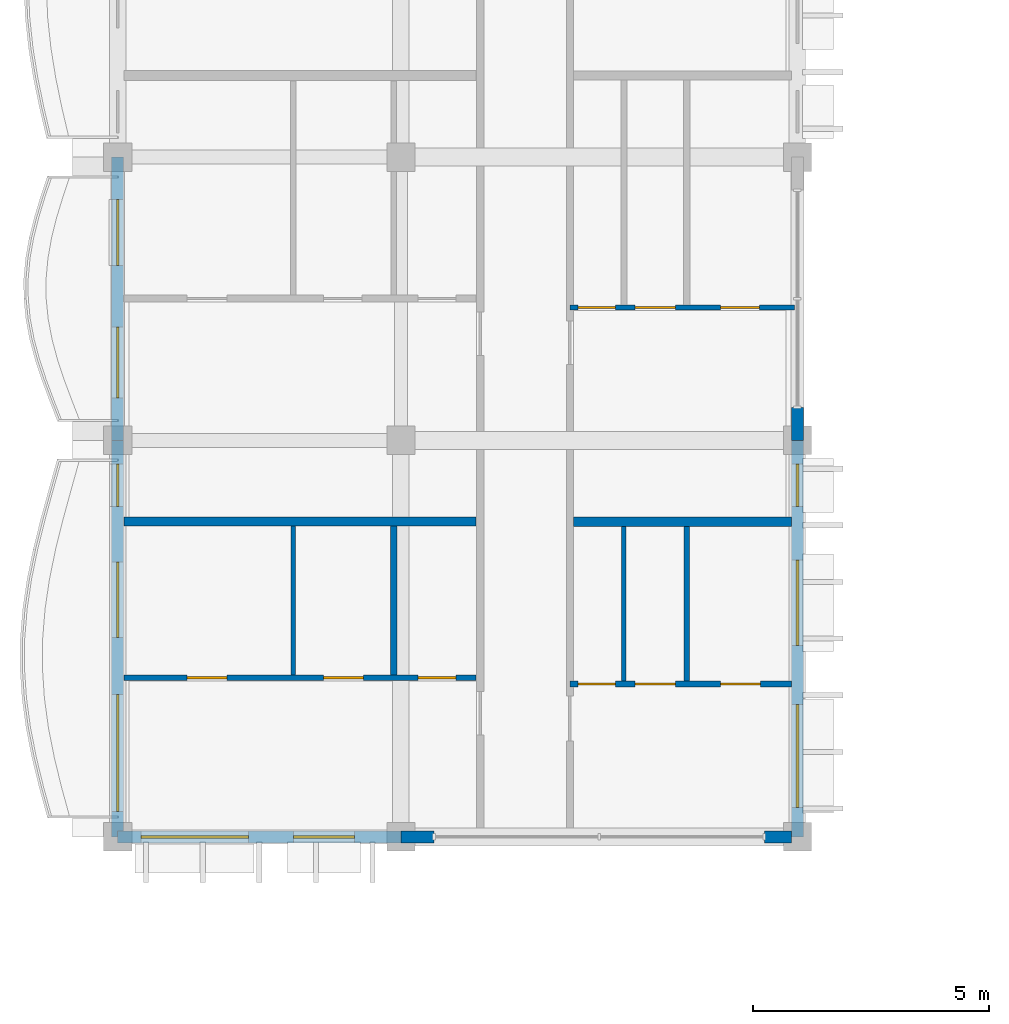
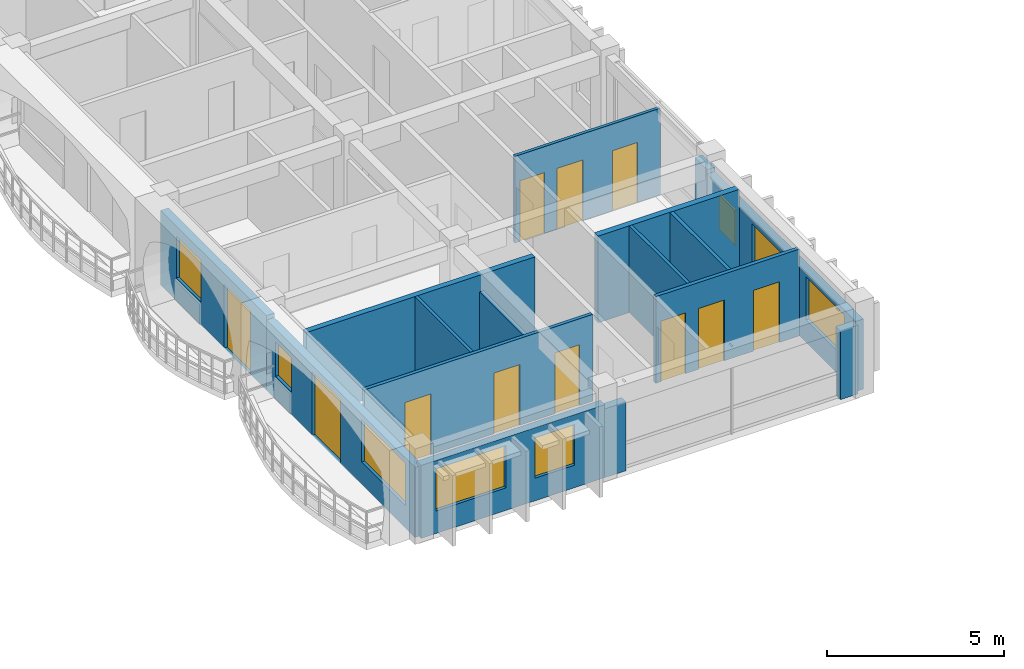
# One storey, part 10 of 31: 16 walls, 11 doors, 8 windows, 19 openings.
"""IFC4 building model written with IfcOpenShell, lengths in metres."""

import ifcopenshell
import ifcopenshell.guid

model = None  # the IFC model being written
_history = None  # IfcOwnerHistory: only IFC2X3 demands one
_inside = {}  # id of a spatial element -> (the spatial element, [elements in it])
_under = {}  # id of a project, library or spatial element -> (it, [spatial elements below it])
_declared = {}  # id of a project -> (the project, [libraries it declares])
_typed = {}  # id of a type object -> (the type object, [elements of that type])
_made_of = {}  # id of a material, layer set ... -> (it, [elements and type objects made of it])


def new_model(schema):
    """Start an empty IFC model of exactly this schema.

    Asked for "IFC4X3", IfcOpenShell would pick the latest addendum, in which some entities
    have other attributes; the version numbers below select the first issue.
    IFC2X3 requires an IfcOwnerHistory on every rooted entity: one is made here for all.
    """
    global model, _history
    if schema == "IFC4X3":
        model = ifcopenshell.file(schema_version=(4, 3, 0, 0))
    else:
        model = ifcopenshell.file(schema=schema)
    _inside.clear()
    _under.clear()
    _declared.clear()
    _typed.clear()
    _made_of.clear()
    _history = None
    if model.schema == "IFC2X3":
        org = make("IfcOrganization", Name="unknown")
        user = make(
            "IfcPersonAndOrganization",
            ThePerson=make("IfcPerson", FamilyName="unknown"),
            TheOrganization=org,
        )
        app = make(
            "IfcApplication",
            ApplicationDeveloper=org,
            Version="unknown",
            ApplicationFullName="unknown",
            ApplicationIdentifier="unknown",
        )
        _history = make(
            "IfcOwnerHistory",
            OwningUser=user,
            OwningApplication=app,
            ChangeAction="ADDED",
            CreationDate=0,
        )
    return model


def make(cls, **values):
    """One entity of the class cls with the attributes given. An attribute that is None is left unset."""
    return model.create_entity(
        cls, **{name: value for name, value in values.items() if value is not None}
    )


def rooted(cls, **values):
    """An entity with a GlobalId (a new one), such as an element, a storey or a relation."""
    return make(cls, GlobalId=ifcopenshell.guid.new(), OwnerHistory=_history, **values)


def si_unit(unit_type, name, prefix=None):
    """IfcSIUnit, for example si_unit("LENGTHUNIT", "METRE", prefix="MILLI")."""
    return make("IfcSIUnit", UnitType=unit_type, Prefix=prefix, Name=name)


def assignment(units):
    """IfcUnitAssignment: the units of a project."""
    return None if units is None else make("IfcUnitAssignment", Units=units)


def point(xyz):
    """IfcCartesianPoint."""
    return None if xyz is None else make("IfcCartesianPoint", Coordinates=xyz)


def direction(xyz):
    """IfcDirection."""
    return None if xyz is None else make("IfcDirection", DirectionRatios=xyz)


def frame(location, z_axis=None, x_axis=None):
    """IfcAxis2Placement3D, a coordinate frame: its origin and axes. An axis left out is left unset."""
    return make(
        "IfcAxis2Placement3D",
        Location=point(location),
        Axis=direction(z_axis),
        RefDirection=direction(x_axis),
    )


def frame_2d(location, x_axis=None):
    """IfcAxis2Placement2D, a coordinate frame in the plane: its origin and x axis."""
    return make(
        "IfcAxis2Placement2D", Location=point(location), RefDirection=direction(x_axis)
    )


def origin():
    """The frame at (0, 0, 0) with its axes left unset."""
    return frame((0.0, 0.0, 0.0))


def place(relative_to, where):
    """IfcLocalPlacement: puts the frame where relative to a parent placement (None: the world)."""
    return make(
        "IfcLocalPlacement", PlacementRelTo=relative_to, RelativePlacement=where
    )


def context(
    kind, dimensions, precision=None, world=None, true_north=None, identifier=None
):
    """IfcGeometricRepresentationContext, for example the 3D "Model" context."""
    return make(
        "IfcGeometricRepresentationContext",
        ContextIdentifier=identifier,
        ContextType=kind,
        CoordinateSpaceDimension=dimensions,
        Precision=precision,
        WorldCoordinateSystem=world,
        TrueNorth=true_north,
    )


def subcontext(parent, identifier, kind, view, scale=None):
    """IfcGeometricRepresentationSubContext, for example "Body" below "Model"."""
    return make(
        "IfcGeometricRepresentationSubContext",
        ContextIdentifier=identifier,
        ContextType=kind,
        ParentContext=parent,
        TargetScale=scale,
        TargetView=view,
    )


def project(units=None, contexts=None):
    """IfcProject with its units and contexts."""
    return rooted(
        "IfcProject",
        Name="project",
        RepresentationContexts=contexts,
        UnitsInContext=assignment(units),
    )


def spatial(cls, under=None, at=None, **own):
    """A site, building, storey or space (cls), placed at a placement, below another one or the project."""
    s = rooted(cls, ObjectPlacement=at, **own)
    if under is not None:
        _under.setdefault(under.id(), (under, []))[1].append(s)
    return s


def profile(cls, at=None, kind="AREA", **sizes):
    """A parametric profile (cls). Its sizes go by their IFC names, for example OverallWidth=200.0."""
    return make(cls, ProfileType=kind, Position=at, **sizes)


def rectangle(**sizes):
    """IfcRectangleProfileDef."""
    return profile("IfcRectangleProfileDef", **sizes)


def extrude(swept, where, along, depth):
    """IfcExtrudedAreaSolid: the profile swept, set in the frame where, extruded along a direction by depth."""
    return make(
        "IfcExtrudedAreaSolid",
        SweptArea=swept,
        Position=where,
        ExtrudedDirection=direction(along),
        Depth=depth,
    )


def shape(context_of_items, identifier, shape_type, items):
    """IfcShapeRepresentation: the items that make up one representation, for example the "Body"."""
    return make(
        "IfcShapeRepresentation",
        ContextOfItems=context_of_items,
        RepresentationIdentifier=identifier,
        RepresentationType=shape_type,
        Items=items,
    )


def material(Name=None, Category=None):
    """IfcMaterial."""
    return make("IfcMaterial", Name=Name, Category=Category)


def layer(
    of_material, thickness, ventilated=None, Name=None, Category=None, Priority=None
):
    """IfcMaterialLayer: one layer of a wall or slab, of a material (None: an air gap)."""
    return make(
        "IfcMaterialLayer",
        Material=of_material,
        LayerThickness=thickness,
        IsVentilated=ventilated,
        Name=Name,
        Category=Category,
        Priority=Priority,
    )


def layer_set(layers, Name=None):
    """IfcMaterialLayerSet."""
    return make("IfcMaterialLayerSet", MaterialLayers=layers, LayerSetName=Name)


def made_of(thing, what):
    """Note that an element or type object is made of a material, layer set ...; save() writes the relation."""
    if what is not None:
        _made_of.setdefault(what.id(), (what, []))[1].append(thing)
    return thing


def type_object(cls, material=None, **own):
    """A type object (cls), such as IfcWallType, which elements share."""
    return made_of(rooted(cls, **own), material)


def element(
    cls,
    number,
    at=None,
    inside=None,
    cuts=None,
    type_object=None,
    material=None,
    context=None,
    identifier="Body",
    shape_type=None,
    held_by="IfcProductDefinitionShape",
    body=None,
    shapes=None,
    **own,
):
    """One element of the class cls, such as IfcWall. Its Tag is "e" and its number.

    at: its placement. inside: the storey or other place that contains it. cuts: it is an
    opening in that element (IfcRelVoidsElement). A single representation is given by context,
    identifier, shape_type and body (its items); several are given by shapes. held_by: the class
    of the entity that holds the representations. save() writes the other relations.
    """
    e = rooted(cls, Tag="e%d" % number, ObjectPlacement=at, **own)
    if body is not None:
        shapes = [shape(context, identifier, shape_type, body)]
    if shapes is not None:
        e.Representation = make(held_by, Representations=shapes)
    if inside is not None:
        _inside.setdefault(inside.id(), (inside, []))[1].append(e)
    if cuts is not None:
        rooted(
            "IfcRelVoidsElement", RelatingBuildingElement=cuts, RelatedOpeningElement=e
        )
    if type_object is not None:
        _typed.setdefault(type_object.id(), (type_object, []))[1].append(e)
    return made_of(e, material)


def fill(opening, filler):
    """IfcRelFillsElement: the door or window that sits in an opening."""
    return rooted(
        "IfcRelFillsElement",
        RelatingOpeningElement=opening,
        RelatedBuildingElement=filler,
    )


def aggregate(whole, parts):
    """IfcRelAggregates: a whole, such as a stair, and the parts it consists of."""
    return rooted("IfcRelAggregates", RelatingObject=whole, RelatedObjects=parts)


def save(model, path):
    """Write the relations noted so far, then the file.

    IfcRelAggregates (storeys below a building ...), IfcRelContainedInSpatialStructure (elements
    in a storey), IfcRelDefinesByType, IfcRelAssociatesMaterial and IfcRelDeclares: one each for
    every whole, place, type object, material and project.
    """
    for whole, parts in _under.values():
        aggregate(whole, parts)
    for where, things in _inside.values():
        rooted(
            "IfcRelContainedInSpatialStructure",
            RelatedElements=things,
            RelatingStructure=where,
        )
    for kind, things in _typed.values():
        rooted("IfcRelDefinesByType", RelatedObjects=things, RelatingType=kind)
    for what, things in _made_of.values():
        rooted("IfcRelAssociatesMaterial", RelatedObjects=things, RelatingMaterial=what)
    for by, libraries in _declared.values():
        rooted("IfcRelDeclares", RelatingContext=by, RelatedDefinitions=libraries)
    model.write(path)


model = new_model("IFC4")

# Units and contexts
model_context = context("Model", 3, precision=1e-05, world=origin(), true_north=direction((0.0, 1.0)))
body_context = subcontext(model_context, "Body", "Model", "MODEL_VIEW")
ifc_project = project(units=[si_unit("LENGTHUNIT", "METRE"), si_unit("AREAUNIT", "SQUARE_METRE"), si_unit("VOLUMEUNIT", "CUBIC_METRE"), si_unit("PLANEANGLEUNIT", "RADIAN"), si_unit("MASSUNIT", "GRAM", prefix="KILO"), si_unit("THERMODYNAMICTEMPERATUREUNIT", "KELVIN")], contexts=[model_context])

# Site, building, storey
site_placement = place(None, origin())
site = spatial("IfcSite", under=ifc_project, at=site_placement, CompositionType="ELEMENT")
building_placement = place(site_placement, origin())
building = spatial("IfcBuilding", under=site, at=building_placement, Name="Thalorik Housing Commons", CompositionType="ELEMENT")
storey_placement = place(building_placement, frame((0.0, 0.0, 37.800048828125)))
storey = spatial("IfcBuildingStorey", under=building, at=storey_placement, Name="L11", CompositionType="ELEMENT", Elevation=37.800048828125)

# Wall, openings, door, window
ifc_material_1 = material(Name="White precast concrete C40/50", Category="concrete")
ifc_layer_1 = layer(ifc_material_1, 0.2548828125, Name="White precast concrete C40/50", Category="concrete")
ifc_layer_set_1 = layer_set([ifc_layer_1], Name="White precast concrete C40/50")
wall_type_1 = type_object("IfcWallType", Name="ARC-WAL-EXT-255", PredefinedType="STANDARD", material=ifc_layer_set_1)
wall_1_placement = place(storey_placement, frame((8.39990234375, 100.800048828125, 0.0), z_axis=(0.0, 0.0, 1.0), x_axis=(0.0, -1.0, 0.0)))
wall_1 = element("IfcWall", 1, at=wall_1_placement, inside=storey, type_object=wall_type_1, Name="L11 Exterior Wall WAL-EXT-L11-A-0290", PredefinedType="STANDARD", context=body_context, shape_type="SweptSolid", body=[
    extrude(rectangle(XDim=6.0, YDim=0.2548828125, at=frame_2d((3.0, 0.0))), origin(), (0.0, 0.0, 1.0), 2.574951171875),
])
opening_1_placement = place(wall_1_placement, frame((3.6025390625, 0.0, 0.0)))
opening_1 = element("IfcOpeningElement", 2, at=opening_1_placement, cuts=wall_1, Name="Opening ED-0094", PredefinedType="OPENING", context=body_context, shape_type="SweptSolid", body=[
    extrude(rectangle(XDim=1.5, YDim=2.199951171875, at=frame_2d((0.75, 1.10009765625))), frame((0.0, 0.137451171875, 0.0), z_axis=(0.0, -1.0, 0.0), x_axis=(1.0, 0.0, 0.0)), (0.0, 0.0, 1.0), 0.27490234375),
])
opening_2_placement = place(wall_1_placement, frame((0.892578125, 0.0, 0.780029296875)))
opening_2 = element("IfcOpeningElement", 3, at=opening_2_placement, cuts=wall_1, Name="Opening W-08", PredefinedType="OPENING", context=body_context, shape_type="SweptSolid", body=[
    extrude(rectangle(XDim=1.39990234375, YDim=1.449951171875, at=frame_2d((0.699951171875, 0.72509765625))), frame((0.0, 0.137451171875, 0.0), z_axis=(0.0, -1.0, 0.0), x_axis=(1.0, 0.0, 0.0)), (0.0, 0.0, 1.0), 0.27490234375),
])
ifc_material_2 = material(Name="Anodised aluminium and laminated safety glass", Category="aluminium")
door_type_1 = type_object("IfcDoorType", Name="ARC-DR-BAL-1500", OperationType="NOTDEFINED", PredefinedType="DOOR", material=ifc_material_2)
door_1_placement = place(opening_1_placement, frame((1.5, 0.0, 0.0), z_axis=(0.0, 0.0, 1.0), x_axis=(-1.0, 0.0, 0.0)))
door_1 = element("IfcDoor", 4, at=door_1_placement, inside=storey, type_object=door_type_1, Name="L11 Block A Balcony Glazed Door", OperationType="SLIDING_TO_RIGHT", OverallHeight=2.199951171875, OverallWidth=1.5, PredefinedType="DOOR", context=body_context, shape_type="SweptSolid", body=[
    extrude(rectangle(XDim=1.5, YDim=2.199951171875, at=frame_2d((0.75, 1.10009765625))), frame((0.0, 0.02490234375, 0.0), z_axis=(0.0, -1.0, 0.0), x_axis=(1.0, 0.0, 0.0)), (0.0, 0.0, 1.0), 0.050048828125),
])
fill(opening_1, door_1)
ifc_material_3 = material(Name="Anodised aluminium and solar-control low-E glass", Category="aluminium")
window_type_1 = type_object("IfcWindowType", Name="ARC-WIN-08", PartitioningType="SINGLE_PANEL", PredefinedType="WINDOW", material=ifc_material_3)
window_1_placement = place(opening_2_placement, origin())
window_1 = element("IfcWindow", 5, at=window_1_placement, inside=storey, type_object=window_type_1, Name="L11 Facade Window 521", OverallHeight=1.449951171875, OverallWidth=1.39990234375, PartitioningType="SINGLE_PANEL", PredefinedType="WINDOW", context=body_context, shape_type="SweptSolid", body=[
    extrude(rectangle(XDim=1.39990234375, YDim=1.449951171875, at=frame_2d((0.699951171875, 0.72509765625))), frame((0.0, 0.030029296875, 0.0), z_axis=(0.0, -1.0, 0.0), x_axis=(1.0, 0.0, 0.0)), (0.0, 0.0, 1.0), 0.06005859375),
])
fill(opening_2, window_1)

# Wall, openings, door, windows
wall_2_placement = place(storey_placement, frame((8.39990234375, 94.800048828125, 0.0), z_axis=(0.0, 0.0, 1.0), x_axis=(0.0, -1.0, 0.0)))
wall_2 = element("IfcWall", 6, at=wall_2_placement, inside=storey, type_object=wall_type_1, Name="L11 Exterior Wall WAL-EXT-L11-A-0291", PredefinedType="STANDARD", context=body_context, shape_type="SweptSolid", body=[
    extrude(rectangle(XDim=8.400146484375, YDim=0.2548828125, at=frame_2d((4.2001953125, 0.0))), origin(), (0.0, 0.0, 1.0), 2.425048828125),
])
opening_3_placement = place(wall_2_placement, frame((2.574951171875, 0.0, 0.0)))
opening_3 = element("IfcOpeningElement", 7, at=opening_3_placement, cuts=wall_2, Name="Opening ED-0095", PredefinedType="OPENING", context=body_context, shape_type="SweptSolid", body=[
    extrude(rectangle(XDim=1.60009765625, YDim=2.199951171875, at=frame_2d((0.800048828125, 1.10009765625))), frame((0.0, 0.137451171875, 0.0), z_axis=(0.0, -1.0, 0.0), x_axis=(1.0, 0.0, 0.0)), (0.0, 0.0, 1.0), 0.27490234375),
])
opening_4_placement = place(wall_2_placement, frame((0.5048828125, 0.0, 0.780029296875)))
opening_4 = element("IfcOpeningElement", 8, at=opening_4_placement, cuts=wall_2, Name="Opening W-01", PredefinedType="OPENING", context=body_context, shape_type="SweptSolid", body=[
    extrude(rectangle(XDim=0.89990234375, YDim=1.199951171875, at=frame_2d((0.449951171875, 0.60009765625))), frame((0.0, 0.137451171875, 0.0), z_axis=(0.0, -1.0, 0.0), x_axis=(1.0, 0.0, 0.0)), (0.0, 0.0, 1.0), 0.27490234375),
])
opening_5_placement = place(wall_2_placement, frame((5.3798828125, 0.0, 0.780029296875)))
opening_5 = element("IfcOpeningElement", 9, at=opening_5_placement, cuts=wall_2, Name="Opening W-71", PredefinedType="OPENING", context=body_context, shape_type="SweptSolid", body=[
    extrude(rectangle(XDim=2.47998046875, YDim=1.4599609375, at=frame_2d((1.239990234375, 0.72998046875))), frame((0.0, 0.137451171875, 0.0), z_axis=(0.0, -1.0, 0.0), x_axis=(1.0, 0.0, 0.0)), (0.0, 0.0, 1.0), 0.27490234375),
])
door_type_2 = type_object("IfcDoorType", Name="ARC-DR-BAL-1600", OperationType="NOTDEFINED", PredefinedType="DOOR", material=ifc_material_2)
door_2_placement = place(opening_3_placement, frame((1.60009765625, 0.0, 0.0), z_axis=(0.0, 0.0, 1.0), x_axis=(-1.0, 0.0, 0.0)))
door_2 = element("IfcDoor", 10, at=door_2_placement, inside=storey, type_object=door_type_2, Name="L11 Block A Balcony Glazed Door", OperationType="SLIDING_TO_LEFT", OverallHeight=2.199951171875, OverallWidth=1.60009765625, PredefinedType="DOOR", context=body_context, shape_type="SweptSolid", body=[
    extrude(rectangle(XDim=1.60009765625, YDim=2.199951171875, at=frame_2d((0.800048828125, 1.10009765625))), frame((0.0, 0.02490234375, 0.0), z_axis=(0.0, -1.0, 0.0), x_axis=(1.0, 0.0, 0.0)), (0.0, 0.0, 1.0), 0.050048828125),
])
fill(opening_3, door_2)
window_type_2 = type_object("IfcWindowType", Name="ARC-WIN-01", PartitioningType="SINGLE_PANEL", PredefinedType="WINDOW", material=ifc_material_3)
window_2_placement = place(opening_4_placement, origin())
window_2 = element("IfcWindow", 11, at=window_2_placement, inside=storey, type_object=window_type_2, Name="L11 Facade Window 522", OverallHeight=1.199951171875, OverallWidth=0.89990234375, PartitioningType="SINGLE_PANEL", PredefinedType="WINDOW", context=body_context, shape_type="SweptSolid", body=[
    extrude(rectangle(XDim=0.89990234375, YDim=1.199951171875, at=frame_2d((0.449951171875, 0.60009765625))), frame((0.0, 0.030029296875, 0.0), z_axis=(0.0, -1.0, 0.0), x_axis=(1.0, 0.0, 0.0)), (0.0, 0.0, 1.0), 0.06005859375),
])
fill(opening_4, window_2)
window_type_3 = type_object("IfcWindowType", Name="ARC-WIN-71", PartitioningType="DOUBLE_PANEL_VERTICAL", PredefinedType="WINDOW", material=ifc_material_3)
window_3_placement = place(opening_5_placement, origin())
window_3 = element("IfcWindow", 12, at=window_3_placement, inside=storey, type_object=window_type_3, Name="L11 Facade Window 523", OverallHeight=1.4599609375, OverallWidth=2.47998046875, PartitioningType="DOUBLE_PANEL_VERTICAL", PredefinedType="WINDOW", context=body_context, shape_type="SweptSolid", body=[
    extrude(rectangle(XDim=2.47998046875, YDim=1.4599609375, at=frame_2d((1.239990234375, 0.72998046875))), frame((0.0, 0.030029296875, 0.0), z_axis=(0.0, -1.0, 0.0), x_axis=(1.0, 0.0, 0.0)), (0.0, 0.0, 1.0), 0.06005859375),
])
fill(opening_5, window_3)

# Wall, openings, windows
wall_3_placement = place(storey_placement, frame((8.39990234375, 86.39990234375, 0.0), z_axis=(0.0, 0.0, 1.0), x_axis=(1.0, 0.0, 0.0)))
wall_3 = element("IfcWall", 13, at=wall_3_placement, inside=storey, type_object=wall_type_1, Name="L11 Exterior Wall WAL-EXT-L11-A-0292", PredefinedType="STANDARD", context=body_context, shape_type="SweptSolid", body=[
    extrude(rectangle(XDim=6.0, YDim=0.2548828125, at=frame_2d((3.0, 0.0))), origin(), (0.0, 0.0, 1.0), 2.52490234375),
])
opening_6_placement = place(wall_3_placement, frame((0.489990234375, 0.0, 0.780029296875)))
opening_6 = element("IfcOpeningElement", 14, at=opening_6_placement, cuts=wall_3, Name="Opening W-67", PredefinedType="OPENING", context=body_context, shape_type="SweptSolid", body=[
    extrude(rectangle(XDim=2.280029296875, YDim=1.4599609375, at=frame_2d((1.14013671875, 0.72998046875))), frame((0.0, 0.137451171875, 0.0), z_axis=(0.0, -1.0, 0.0), x_axis=(1.0, 0.0, 0.0)), (0.0, 0.0, 1.0), 0.27490234375),
])
opening_7_placement = place(wall_3_placement, frame((3.719970703125, 0.0, 0.780029296875)))
opening_7 = element("IfcOpeningElement", 15, at=opening_7_placement, cuts=wall_3, Name="Opening W-06", PredefinedType="OPENING", context=body_context, shape_type="SweptSolid", body=[
    extrude(rectangle(XDim=1.300048828125, YDim=1.39990234375, at=frame_2d((0.64990234375, 0.699951171875))), frame((0.0, 0.137451171875, 0.0), z_axis=(0.0, -1.0, 0.0), x_axis=(1.0, 0.0, 0.0)), (0.0, 0.0, 1.0), 0.27490234375),
])
window_type_4 = type_object("IfcWindowType", Name="ARC-WIN-06", PartitioningType="SINGLE_PANEL", PredefinedType="WINDOW", material=ifc_material_3)
window_4_placement = place(opening_7_placement, origin())
window_4 = element("IfcWindow", 16, at=window_4_placement, inside=storey, type_object=window_type_4, Name="L11 Facade Window 525", OverallHeight=1.39990234375, OverallWidth=1.300048828125, PartitioningType="SINGLE_PANEL", PredefinedType="WINDOW", context=body_context, shape_type="SweptSolid", body=[
    extrude(rectangle(XDim=1.300048828125, YDim=1.39990234375, at=frame_2d((0.64990234375, 0.699951171875))), frame((0.0, 0.030029296875, 0.0), z_axis=(0.0, -1.0, 0.0), x_axis=(1.0, 0.0, 0.0)), (0.0, 0.0, 1.0), 0.06005859375),
])
fill(opening_7, window_4)
window_type_5 = type_object("IfcWindowType", Name="ARC-WIN-67", PartitioningType="DOUBLE_PANEL_VERTICAL", PredefinedType="WINDOW", material=ifc_material_3)
window_5_placement = place(opening_6_placement, origin())
window_5 = element("IfcWindow", 17, at=window_5_placement, inside=storey, type_object=window_type_5, Name="L11 Facade Window 524", OverallHeight=1.4599609375, OverallWidth=2.280029296875, PartitioningType="DOUBLE_PANEL_VERTICAL", PredefinedType="WINDOW", context=body_context, shape_type="SweptSolid", body=[
    extrude(rectangle(XDim=2.280029296875, YDim=1.4599609375, at=frame_2d((1.14013671875, 0.72998046875))), frame((0.0, 0.030029296875, 0.0), z_axis=(0.0, -1.0, 0.0), x_axis=(1.0, 0.0, 0.0)), (0.0, 0.0, 1.0), 0.06005859375),
])
fill(opening_6, window_5)

# Walls
wall_4_placement = place(storey_placement, frame((14.39990234375, 86.39990234375, 0.0), z_axis=(0.0, 0.0, 1.0), x_axis=(1.0, 0.0, 0.0)))
element("IfcWall", 18, at=wall_4_placement, inside=storey, type_object=wall_type_1, Name="L11 Exterior Wall WAL-PIERL-L11-A-0293", PredefinedType="STANDARD", context=body_context, shape_type="SweptSolid", body=[
    extrude(rectangle(XDim=0.7001953125, YDim=0.2548828125, at=frame_2d((0.35009765625, 0.0))), origin(), (0.0, 0.0, 1.0), 2.375),
])
wall_5_placement = place(storey_placement, frame((22.10009765625, 86.39990234375, 0.0), z_axis=(0.0, 0.0, 1.0), x_axis=(1.0, 0.0, 0.0)))
element("IfcWall", 19, at=wall_5_placement, inside=storey, type_object=wall_type_1, Name="L11 Exterior Wall WAL-PIERR-L11-A-0293", PredefinedType="STANDARD", context=body_context, shape_type="SweptSolid", body=[
    extrude(rectangle(XDim=0.5703125, YDim=0.2548828125, at=frame_2d((0.28515625, 0.0))), origin(), (0.0, 0.0, 1.0), 2.375),
])

# Wall, openings, windows
wall_6_placement = place(storey_placement, frame((22.800048828125, 86.39990234375, 0.0), z_axis=(0.0, 0.0, 1.0), x_axis=(0.0, 1.0, 0.0)))
wall_6 = element("IfcWall", 20, at=wall_6_placement, inside=storey, type_object=wall_type_1, Name="L11 Exterior Wall WAL-EXT-L11-A-0294", PredefinedType="STANDARD", context=body_context, shape_type="SweptSolid", body=[
    extrude(rectangle(XDim=8.400146484375, YDim=0.2548828125, at=frame_2d((4.2001953125, 0.0))), origin(), (0.0, 0.0, 1.0), 2.425048828125),
])
opening_8_placement = place(wall_6_placement, frame((0.623779296875, 0.0, 0.780029296875)))
opening_8 = element("IfcOpeningElement", 21, at=opening_8_placement, cuts=wall_6, Name="Opening W-65", PredefinedType="OPENING", context=body_context, shape_type="SweptSolid", body=[
    extrude(rectangle(XDim=2.179931640625, YDim=1.47998046875, at=frame_2d((1.08984375, 0.739990234375))), frame((0.0, 0.137451171875, 0.0), z_axis=(0.0, -1.0, 0.0), x_axis=(1.0, 0.0, 0.0)), (0.0, 0.0, 1.0), 0.27490234375),
])
opening_9_placement = place(wall_6_placement, frame((4.048828125, 0.0, 0.780029296875)))
opening_9 = element("IfcOpeningElement", 22, at=opening_9_placement, cuts=wall_6, Name="Opening W-58", PredefinedType="OPENING", context=body_context, shape_type="SweptSolid", body=[
    extrude(rectangle(XDim=1.820068359375, YDim=1.4599609375, at=frame_2d((0.91015625, 0.72998046875))), frame((0.0, 0.137451171875, 0.0), z_axis=(0.0, -1.0, 0.0), x_axis=(1.0, 0.0, 0.0)), (0.0, 0.0, 1.0), 0.27490234375),
])
opening_10_placement = place(wall_6_placement, frame((6.9951171875, 0.0, 0.780029296875)))
opening_10 = element("IfcOpeningElement", 23, at=opening_10_placement, cuts=wall_6, Name="Opening W-01", PredefinedType="OPENING", context=body_context, shape_type="SweptSolid", body=[
    extrude(rectangle(XDim=0.89990234375, YDim=1.199951171875, at=frame_2d((0.449951171875, 0.60009765625))), frame((0.0, 0.137451171875, 0.0), z_axis=(0.0, -1.0, 0.0), x_axis=(1.0, 0.0, 0.0)), (0.0, 0.0, 1.0), 0.27490234375),
])
window_6_placement = place(opening_10_placement, origin())
window_6 = element("IfcWindow", 24, at=window_6_placement, inside=storey, type_object=window_type_2, Name="L11 Facade Window 528", OverallHeight=1.199951171875, OverallWidth=0.89990234375, PartitioningType="SINGLE_PANEL", PredefinedType="WINDOW", context=body_context, shape_type="SweptSolid", body=[
    extrude(rectangle(XDim=0.89990234375, YDim=1.199951171875, at=frame_2d((0.449951171875, 0.60009765625))), frame((0.0, 0.030029296875, 0.0), z_axis=(0.0, -1.0, 0.0), x_axis=(1.0, 0.0, 0.0)), (0.0, 0.0, 1.0), 0.06005859375),
])
fill(opening_10, window_6)
window_type_6 = type_object("IfcWindowType", Name="ARC-WIN-58", PartitioningType="DOUBLE_PANEL_VERTICAL", PredefinedType="WINDOW", material=ifc_material_3)
window_7_placement = place(opening_9_placement, origin())
window_7 = element("IfcWindow", 25, at=window_7_placement, inside=storey, type_object=window_type_6, Name="L11 Facade Window 527", OverallHeight=1.4599609375, OverallWidth=1.820068359375, PartitioningType="DOUBLE_PANEL_VERTICAL", PredefinedType="WINDOW", context=body_context, shape_type="SweptSolid", body=[
    extrude(rectangle(XDim=1.820068359375, YDim=1.4599609375, at=frame_2d((0.91015625, 0.72998046875))), frame((0.0, 0.030029296875, 0.0), z_axis=(0.0, -1.0, 0.0), x_axis=(1.0, 0.0, 0.0)), (0.0, 0.0, 1.0), 0.06005859375),
])
fill(opening_9, window_7)
window_type_7 = type_object("IfcWindowType", Name="ARC-WIN-65", PartitioningType="DOUBLE_PANEL_VERTICAL", PredefinedType="WINDOW", material=ifc_material_3)
window_8_placement = place(opening_8_placement, origin())
window_8 = element("IfcWindow", 26, at=window_8_placement, inside=storey, type_object=window_type_7, Name="L11 Facade Window 526", OverallHeight=1.47998046875, OverallWidth=2.179931640625, PartitioningType="DOUBLE_PANEL_VERTICAL", PredefinedType="WINDOW", context=body_context, shape_type="SweptSolid", body=[
    extrude(rectangle(XDim=2.179931640625, YDim=1.47998046875, at=frame_2d((1.08984375, 0.739990234375))), frame((0.0, 0.030029296875, 0.0), z_axis=(0.0, -1.0, 0.0), x_axis=(1.0, 0.0, 0.0)), (0.0, 0.0, 1.0), 0.06005859375),
])
fill(opening_8, window_8)

# Walls
wall_7_placement = place(storey_placement, frame((22.800048828125, 94.800048828125, 0.0), z_axis=(0.0, 0.0, 1.0), x_axis=(0.0, 1.0, 0.0)))
element("IfcWall", 27, at=wall_7_placement, inside=storey, type_object=wall_type_1, Name="L11 Exterior Wall WAL-PIERL-L11-A-0295", PredefinedType="STANDARD", context=body_context, shape_type="SweptSolid", body=[
    extrude(rectangle(XDim=0.699951171875, YDim=0.2548828125, at=frame_2d((0.35009765625, 0.0))), origin(), (0.0, 0.0, 1.0), 2.574951171875),
])
ifc_material_4 = material(Name="Gypsum light stud partition", Category="masonry")
ifc_layer_2 = layer(ifc_material_4, 0.10009765625, Name="Gypsum light stud partition", Category="masonry")
ifc_layer_set_2 = layer_set([ifc_layer_2], Name="Gypsum light stud partition")
wall_type_2 = type_object("IfcWallType", Name="ARC-WAL-PART-100", PredefinedType="PARTITIONING", material=ifc_layer_set_2)
wall_8_placement = place(storey_placement, frame((12.11767578125, 89.82958984375, 0.0), z_axis=(0.0, 0.0, 1.0), x_axis=(0.0, 1.0, 0.0)))
element("IfcWall", 28, at=wall_8_placement, inside=storey, type_object=wall_type_2, Name="L11 Unit 1 Bedroom Partition", PredefinedType="PARTITIONING", context=body_context, shape_type="SweptSolid", body=[
    extrude(rectangle(XDim=3.156005859375, YDim=0.10009765625, at=frame_2d((1.578125, 0.0))), origin(), (0.0, 0.0, 1.0), 3.0),
])
wall_9_placement = place(storey_placement, frame((19.122314453125, 89.7021484375, 0.0), z_axis=(0.0, 0.0, 1.0), x_axis=(0.0, 1.0, 0.0)))
element("IfcWall", 29, at=wall_9_placement, inside=storey, type_object=wall_type_2, Name="L11 Unit 1B Wet Wall", PredefinedType="PARTITIONING", context=body_context, shape_type="SweptSolid", body=[
    extrude(rectangle(XDim=3.27587890625, YDim=0.10009765625, at=frame_2d((1.637939453125, 0.0))), origin(), (0.0, 0.0, 1.0), 3.0),
])

# Wall, openings, doors
wall_10_placement = place(storey_placement, frame((17.97998046875, 97.615966796875, 0.0), z_axis=(0.0, 0.0, 1.0), x_axis=(1.0, 0.0, 0.0)))
wall_10 = element("IfcWall", 30, at=wall_10_placement, inside=storey, type_object=wall_type_2, Name="L11 Unit 2B Spine Partition", PredefinedType="PARTITIONING", context=body_context, shape_type="SweptSolid", body=[
    extrude(rectangle(XDim=4.760009765625, YDim=0.10009765625, at=frame_2d((2.3798828125, 0.0))), origin(), (0.0, 0.0, 1.0), 3.0),
])
opening_11_placement = place(wall_10_placement, frame((0.171142578125, 0.0, 0.0)))
opening_11 = element("IfcOpeningElement", 31, at=opening_11_placement, cuts=wall_10, Name="Opening ID-0878", PredefinedType="OPENING", context=body_context, shape_type="SweptSolid", body=[
    extrude(rectangle(XDim=0.800048828125, YDim=2.10009765625, at=frame_2d((0.39990234375, 1.050048828125))), frame((0.0, 0.06005859375, 0.0), z_axis=(0.0, -1.0, 0.0), x_axis=(1.0, 0.0, 0.0)), (0.0, 0.0, 1.0), 0.1201171875),
])
opening_12_placement = place(wall_10_placement, frame((1.3837890625, 0.0, 0.0)))
opening_12 = element("IfcOpeningElement", 32, at=opening_12_placement, cuts=wall_10, Name="Opening ID-0879", PredefinedType="OPENING", context=body_context, shape_type="SweptSolid", body=[
    extrude(rectangle(XDim=0.85009765625, YDim=2.10009765625, at=frame_2d((0.425048828125, 1.050048828125))), frame((0.0, 0.06005859375, 0.0), z_axis=(0.0, -1.0, 0.0), x_axis=(1.0, 0.0, 0.0)), (0.0, 0.0, 1.0), 0.1201171875),
])
opening_13_placement = place(wall_10_placement, frame((3.192626953125, 0.0, 0.0)))
opening_13 = element("IfcOpeningElement", 33, at=opening_13_placement, cuts=wall_10, Name="Opening ID-0880", PredefinedType="OPENING", context=body_context, shape_type="SweptSolid", body=[
    extrude(rectangle(XDim=0.820068359375, YDim=2.080078125, at=frame_2d((0.41015625, 1.0400390625))), frame((0.0, 0.06005859375, 0.0), z_axis=(0.0, -1.0, 0.0), x_axis=(1.0, 0.0, 0.0)), (0.0, 0.0, 1.0), 0.1201171875),
])
ifc_material_5 = material(Name="Moisture-resistant timber", Category="wood")
door_type_3 = type_object("IfcDoorType", Name="ARC-DR-INT-800", OperationType="NOTDEFINED", PredefinedType="DOOR", material=ifc_material_5)
door_3_placement = place(opening_11_placement, origin())
door_3 = element("IfcDoor", 34, at=door_3_placement, inside=storey, type_object=door_type_3, Name="L11 Flat Bathroom Door", OperationType="SINGLE_SWING_LEFT", OverallHeight=2.10009765625, OverallWidth=0.800048828125, PredefinedType="DOOR", context=body_context, shape_type="SweptSolid", body=[
    extrude(rectangle(XDim=0.800048828125, YDim=2.10009765625, at=frame_2d((0.39990234375, 1.050048828125))), frame((0.0, 0.02490234375, 0.0), z_axis=(0.0, -1.0, 0.0), x_axis=(1.0, 0.0, 0.0)), (0.0, 0.0, 1.0), 0.050048828125),
])
fill(opening_11, door_3)
ifc_material_6 = material(Name="Engineered oak timber", Category="wood")
door_type_4 = type_object("IfcDoorType", Name="ARC-DR-INT-820", OperationType="NOTDEFINED", PredefinedType="DOOR", material=ifc_material_6)
door_4_placement = place(opening_13_placement, origin())
door_4 = element("IfcDoor", 35, at=door_4_placement, inside=storey, type_object=door_type_4, Name="L11 Master Bedroom Door", OperationType="SINGLE_SWING_LEFT", OverallHeight=2.080078125, OverallWidth=0.820068359375, PredefinedType="DOOR", context=body_context, shape_type="SweptSolid", body=[
    extrude(rectangle(XDim=0.820068359375, YDim=2.080078125, at=frame_2d((0.41015625, 1.0400390625))), frame((0.0, 0.02490234375, 0.0), z_axis=(0.0, -1.0, 0.0), x_axis=(1.0, 0.0, 0.0)), (0.0, 0.0, 1.0), 0.050048828125),
])
fill(opening_13, door_4)
door_type_5 = type_object("IfcDoorType", Name="ARC-DR-INT-850", OperationType="NOTDEFINED", PredefinedType="DOOR", material=ifc_material_6)
door_5_placement = place(opening_12_placement, origin())
door_5 = element("IfcDoor", 36, at=door_5_placement, inside=storey, type_object=door_type_5, Name="L11 Eat-In Kitchen Door", OperationType="SINGLE_SWING_RIGHT", OverallHeight=2.10009765625, OverallWidth=0.85009765625, PredefinedType="DOOR", context=body_context, shape_type="SweptSolid", body=[
    extrude(rectangle(XDim=0.85009765625, YDim=2.10009765625, at=frame_2d((0.425048828125, 1.050048828125))), frame((0.0, 0.02490234375, 0.0), z_axis=(0.0, -1.0, 0.0), x_axis=(1.0, 0.0, 0.0)), (0.0, 0.0, 1.0), 0.050048828125),
])
fill(opening_12, door_5)

ifc_material_7 = material(Name="Gypsum moisture-resistant partition", Category="masonry")
ifc_layer_3 = layer(ifc_material_7, 0.114990234375, Name="Gypsum moisture-resistant partition", Category="masonry")
ifc_layer_set_3 = layer_set([ifc_layer_3], Name="Gypsum moisture-resistant partition")
wall_type_3 = type_object("IfcWallType", Name="ARC-WAL-PART-115", PredefinedType="PARTITIONING", material=ifc_layer_set_3)
wall_11_placement = place(storey_placement, frame((8.529541015625, 89.77001953125, 0.0), z_axis=(0.0, 0.0, 1.0), x_axis=(1.0, 0.0, 0.0)))
wall_11 = element("IfcWall", 37, at=wall_11_placement, inside=storey, type_object=wall_type_3, Name="L11 Unit 1 Spine Partition", PredefinedType="PARTITIONING", context=body_context, shape_type="SweptSolid", body=[
    extrude(rectangle(XDim=7.466064453125, YDim=0.114990234375, at=frame_2d((3.73291015625, 0.0))), origin(), (0.0, 0.0, 1.0), 3.0),
])
opening_14_placement = place(wall_11_placement, frame((1.334228515625, 0.0, 0.0)))
opening_14 = element("IfcOpeningElement", 38, at=opening_14_placement, cuts=wall_11, Name="Opening ID-0869", PredefinedType="OPENING", context=body_context, shape_type="SweptSolid", body=[
    extrude(rectangle(XDim=0.85009765625, YDim=2.10009765625, at=frame_2d((0.425048828125, 1.050048828125))), frame((0.0, 0.0673828125, 0.0), z_axis=(0.0, -1.0, 0.0), x_axis=(1.0, 0.0, 0.0)), (0.0, 0.0, 1.0), 0.135009765625),
])
opening_15_placement = place(wall_11_placement, frame((4.22998046875, 0.0, 0.0)))
opening_15 = element("IfcOpeningElement", 39, at=opening_15_placement, cuts=wall_11, Name="Opening ID-0870", PredefinedType="OPENING", context=body_context, shape_type="SweptSolid", body=[
    extrude(rectangle(XDim=0.85009765625, YDim=2.10009765625, at=frame_2d((0.425048828125, 1.050048828125))), frame((0.0, 0.0673828125, 0.0), z_axis=(0.0, -1.0, 0.0), x_axis=(1.0, 0.0, 0.0)), (0.0, 0.0, 1.0), 0.135009765625),
])
opening_16_placement = place(wall_11_placement, frame((6.236083984375, 0.0, 0.0)))
opening_16 = element("IfcOpeningElement", 40, at=opening_16_placement, cuts=wall_11, Name="Opening ID-0871", PredefinedType="OPENING", context=body_context, shape_type="SweptSolid", body=[
    extrude(rectangle(XDim=0.800048828125, YDim=2.10009765625, at=frame_2d((0.39990234375, 1.050048828125))), frame((0.0, 0.0673828125, 0.0), z_axis=(0.0, -1.0, 0.0), x_axis=(1.0, 0.0, 0.0)), (0.0, 0.0, 1.0), 0.135009765625),
])
door_6_placement = place(opening_16_placement, origin())
door_6 = element("IfcDoor", 41, at=door_6_placement, inside=storey, type_object=door_type_3, Name="L11 Flat Bathroom Door", OperationType="SINGLE_SWING_RIGHT", OverallHeight=2.10009765625, OverallWidth=0.800048828125, PredefinedType="DOOR", context=body_context, shape_type="SweptSolid", body=[
    extrude(rectangle(XDim=0.800048828125, YDim=2.10009765625, at=frame_2d((0.39990234375, 1.050048828125))), frame((0.0, 0.02490234375, 0.0), z_axis=(0.0, -1.0, 0.0), x_axis=(1.0, 0.0, 0.0)), (0.0, 0.0, 1.0), 0.050048828125),
])
fill(opening_16, door_6)
door_7_placement = place(opening_14_placement, origin())
door_7 = element("IfcDoor", 42, at=door_7_placement, inside=storey, type_object=door_type_5, Name="L11 Single Bedroom Door", OperationType="SINGLE_SWING_RIGHT", OverallHeight=2.10009765625, OverallWidth=0.85009765625, PredefinedType="DOOR", context=body_context, shape_type="SweptSolid", body=[
    extrude(rectangle(XDim=0.85009765625, YDim=2.10009765625, at=frame_2d((0.425048828125, 1.050048828125))), frame((0.0, 0.02490234375, 0.0), z_axis=(0.0, -1.0, 0.0), x_axis=(1.0, 0.0, 0.0)), (0.0, 0.0, 1.0), 0.050048828125),
])
fill(opening_14, door_7)
door_8_placement = place(opening_15_placement, origin())
door_8 = element("IfcDoor", 43, at=door_8_placement, inside=storey, type_object=door_type_5, Name="L11 Galley Kitchen Door", OperationType="SINGLE_SWING_LEFT", OverallHeight=2.10009765625, OverallWidth=0.85009765625, PredefinedType="DOOR", context=body_context, shape_type="SweptSolid", body=[
    extrude(rectangle(XDim=0.85009765625, YDim=2.10009765625, at=frame_2d((0.425048828125, 1.050048828125))), frame((0.0, 0.02490234375, 0.0), z_axis=(0.0, -1.0, 0.0), x_axis=(1.0, 0.0, 0.0)), (0.0, 0.0, 1.0), 0.050048828125),
])
fill(opening_15, door_8)

# Wall
wall_12_placement = place(storey_placement, frame((20.455078125, 89.7021484375, 0.0), z_axis=(0.0, 0.0, 1.0), x_axis=(0.0, 1.0, 0.0)))
element("IfcWall", 44, at=wall_12_placement, inside=storey, type_object=wall_type_3, Name="L11 Unit 1B Bedroom Partition", PredefinedType="PARTITIONING", context=body_context, shape_type="SweptSolid", body=[
    extrude(rectangle(XDim=3.27587890625, YDim=0.114990234375, at=frame_2d((1.637939453125, 0.0))), origin(), (0.0, 0.0, 1.0), 3.0),
])

# Wall, openings, doors
ifc_material_8 = material(Name="Gypsum acoustic stud partition", Category="masonry")
ifc_layer_4 = layer(ifc_material_8, 0.125, Name="Gypsum acoustic stud partition", Category="masonry")
ifc_layer_set_4 = layer_set([ifc_layer_4], Name="Gypsum acoustic stud partition")
wall_type_4 = type_object("IfcWallType", Name="ARC-WAL-PART-125", PredefinedType="PARTITIONING", material=ifc_layer_set_4)
wall_13_placement = place(storey_placement, frame((17.97998046875, 89.6376953125, 0.0), z_axis=(0.0, 0.0, 1.0), x_axis=(1.0, 0.0, 0.0)))
wall_13 = element("IfcWall", 45, at=wall_13_placement, inside=storey, type_object=wall_type_4, Name="L11 Unit 1B Spine Partition", PredefinedType="PARTITIONING", context=body_context, shape_type="SweptSolid", body=[
    extrude(rectangle(XDim=4.6904296875, YDim=0.125, at=frame_2d((2.34521484375, 0.0))), origin(), (0.0, 0.0, 1.0), 3.0),
])
opening_17_placement = place(wall_13_placement, frame((0.171142578125, 0.0, 0.0)))
opening_17 = element("IfcOpeningElement", 46, at=opening_17_placement, cuts=wall_13, Name="Opening ID-0872", PredefinedType="OPENING", context=body_context, shape_type="SweptSolid", body=[
    extrude(rectangle(XDim=0.800048828125, YDim=2.10009765625, at=frame_2d((0.39990234375, 1.050048828125))), frame((0.0, 0.072509765625, 0.0), z_axis=(0.0, -1.0, 0.0), x_axis=(1.0, 0.0, 0.0)), (0.0, 0.0, 1.0), 0.14501953125),
])
opening_18_placement = place(wall_13_placement, frame((1.3837890625, 0.0, 0.0)))
opening_18 = element("IfcOpeningElement", 47, at=opening_18_placement, cuts=wall_13, Name="Opening ID-0873", PredefinedType="OPENING", context=body_context, shape_type="SweptSolid", body=[
    extrude(rectangle(XDim=0.85009765625, YDim=2.10009765625, at=frame_2d((0.425048828125, 1.050048828125))), frame((0.0, 0.072509765625, 0.0), z_axis=(0.0, -1.0, 0.0), x_axis=(1.0, 0.0, 0.0)), (0.0, 0.0, 1.0), 0.14501953125),
])
opening_19_placement = place(wall_13_placement, frame((3.192626953125, 0.0, 0.0)))
opening_19 = element("IfcOpeningElement", 48, at=opening_19_placement, cuts=wall_13, Name="Opening ID-0874", PredefinedType="OPENING", context=body_context, shape_type="SweptSolid", body=[
    extrude(rectangle(XDim=0.85009765625, YDim=2.10009765625, at=frame_2d((0.425048828125, 1.050048828125))), frame((0.0, 0.072509765625, 0.0), z_axis=(0.0, -1.0, 0.0), x_axis=(1.0, 0.0, 0.0)), (0.0, 0.0, 1.0), 0.14501953125),
])
door_9_placement = place(opening_17_placement, origin())
door_9 = element("IfcDoor", 49, at=door_9_placement, inside=storey, type_object=door_type_3, Name="L11 Flat Bathroom Door", OperationType="SINGLE_SWING_LEFT", OverallHeight=2.10009765625, OverallWidth=0.800048828125, PredefinedType="DOOR", context=body_context, shape_type="SweptSolid", body=[
    extrude(rectangle(XDim=0.800048828125, YDim=2.10009765625, at=frame_2d((0.39990234375, 1.050048828125))), frame((0.0, 0.02490234375, 0.0), z_axis=(0.0, -1.0, 0.0), x_axis=(1.0, 0.0, 0.0)), (0.0, 0.0, 1.0), 0.050048828125),
])
fill(opening_17, door_9)
door_10_placement = place(opening_18_placement, origin())
door_10 = element("IfcDoor", 50, at=door_10_placement, inside=storey, type_object=door_type_5, Name="L11 Galley Kitchen Door", OperationType="SINGLE_SWING_RIGHT", OverallHeight=2.10009765625, OverallWidth=0.85009765625, PredefinedType="DOOR", context=body_context, shape_type="SweptSolid", body=[
    extrude(rectangle(XDim=0.85009765625, YDim=2.10009765625, at=frame_2d((0.425048828125, 1.050048828125))), frame((0.0, 0.02490234375, 0.0), z_axis=(0.0, -1.0, 0.0), x_axis=(1.0, 0.0, 0.0)), (0.0, 0.0, 1.0), 0.050048828125),
])
fill(opening_18, door_10)
door_11_placement = place(opening_19_placement, origin())
door_11 = element("IfcDoor", 51, at=door_11_placement, inside=storey, type_object=door_type_5, Name="L11 Double Bedroom Door", OperationType="SINGLE_SWING_LEFT", OverallHeight=2.10009765625, OverallWidth=0.85009765625, PredefinedType="DOOR", context=body_context, shape_type="SweptSolid", body=[
    extrude(rectangle(XDim=0.85009765625, YDim=2.10009765625, at=frame_2d((0.425048828125, 1.050048828125))), frame((0.0, 0.02490234375, 0.0), z_axis=(0.0, -1.0, 0.0), x_axis=(1.0, 0.0, 0.0)), (0.0, 0.0, 1.0), 0.050048828125),
])
fill(opening_19, door_11)

# Walls
ifc_material_9 = material(Name="Ceramic masonry partition wall", Category="masonry")
ifc_layer_5 = layer(ifc_material_9, 0.139892578125, Name="Ceramic masonry partition wall", Category="masonry")
ifc_layer_set_5 = layer_set([ifc_layer_5], Name="Ceramic masonry partition wall")
wall_type_5 = type_object("IfcWallType", Name="ARC-WAL-PART-140", PredefinedType="PARTITIONING", material=ifc_layer_set_5)
wall_14_placement = place(storey_placement, frame((14.251220703125, 89.82958984375, 0.0), z_axis=(0.0, 0.0, 1.0), x_axis=(0.0, 1.0, 0.0)))
element("IfcWall", 52, at=wall_14_placement, inside=storey, type_object=wall_type_5, Name="L11 Unit 1 Wet Wall", PredefinedType="PARTITIONING", context=body_context, shape_type="SweptSolid", body=[
    extrude(rectangle(XDim=3.156005859375, YDim=0.139892578125, at=frame_2d((1.578125, 0.0))), origin(), (0.0, 0.0, 1.0), 2.425048828125),
])
ifc_material_10 = material(Name="Masonry acoustic blockwork wall", Category="masonry")
ifc_layer_6 = layer(ifc_material_10, 0.18505859375, Name="Masonry acoustic blockwork wall", Category="masonry")
ifc_layer_set_6 = layer_set([ifc_layer_6], Name="Masonry acoustic blockwork wall")
wall_type_6 = type_object("IfcWallType", Name="ARC-WAL-PARTY-185", PredefinedType="PARTITIONING", material=ifc_layer_set_6)
wall_15_placement = place(storey_placement, frame((8.529541015625, 93.080078125, 0.0), z_axis=(0.0, 0.0, 1.0), x_axis=(1.0, 0.0, 0.0)))
element("IfcWall", 53, at=wall_15_placement, inside=storey, type_object=wall_type_6, Name="L11 Inter-Tenancy Wall 1A", PredefinedType="PARTITIONING", context=body_context, shape_type="SweptSolid", body=[
    extrude(rectangle(XDim=7.466064453125, YDim=0.18505859375, at=frame_2d((3.73291015625, 0.0))), origin(), (0.0, 0.0, 1.0), 3.0),
])
ifc_material_11 = material(Name="Precast concrete C40/50 acoustic wall", Category="concrete")
ifc_layer_7 = layer(ifc_material_11, 0.199951171875, Name="Precast concrete C40/50 acoustic wall", Category="concrete")
ifc_layer_set_7 = layer_set([ifc_layer_7], Name="Precast concrete C40/50 acoustic wall")
wall_type_7 = type_object("IfcWallType", Name="ARC-WAL-PARTY-200", PredefinedType="PARTITIONING", material=ifc_layer_set_7)
wall_16_placement = place(storey_placement, frame((18.056884765625, 93.080078125, 0.0), z_axis=(0.0, 0.0, 1.0), x_axis=(1.0, 0.0, 0.0)))
element("IfcWall", 54, at=wall_16_placement, inside=storey, type_object=wall_type_7, Name="L11 Inter-Tenancy Wall 1B", PredefinedType="PARTITIONING", context=body_context, shape_type="SweptSolid", body=[
    extrude(rectangle(XDim=4.613525390625, YDim=0.199951171875, at=frame_2d((2.306640625, 0.0))), origin(), (0.0, 0.0, 1.0), 3.0),
])

save(model, "model.ifc")
